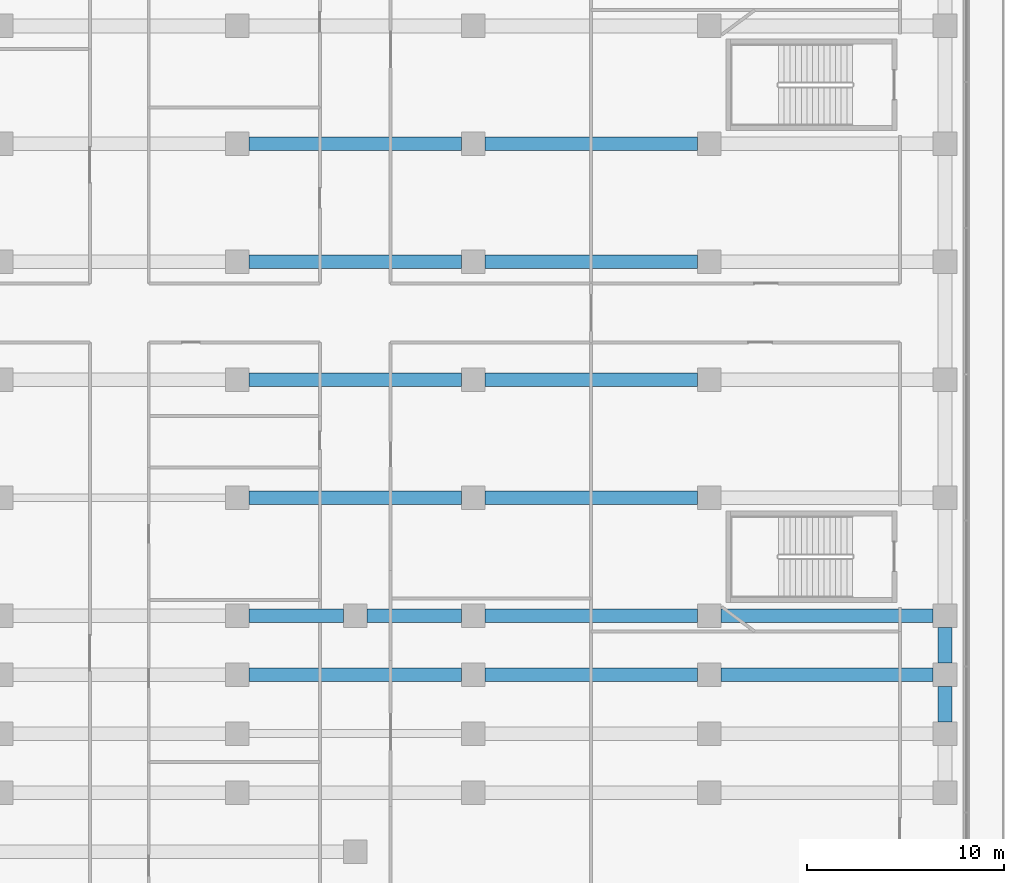
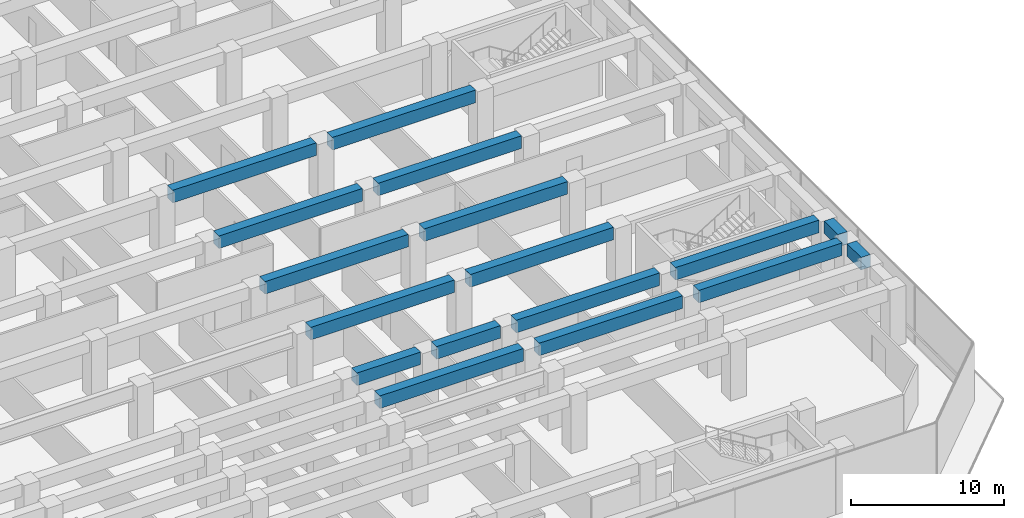
# One storey, part 13 of 40: 17 beams.
"""IFC4 building model written with IfcOpenShell, lengths in metres."""

from ifc_helpers import new_model, si_unit, direction, frame, origin, origin_2d, place, context, subcontext, project, spatial, rectangle, extrude, material, material_profile, profile_set, type_object, element, save


model = new_model("IFC4")

# Units and contexts
model_context = context("Model", 3, precision=1e-05, world=origin(), true_north=direction((0.0, 1.0)))
body_context = subcontext(model_context, "Body", "Model", "MODEL_VIEW")
ifc_project = project(units=[si_unit("LENGTHUNIT", "METRE"), si_unit("AREAUNIT", "SQUARE_METRE"), si_unit("VOLUMEUNIT", "CUBIC_METRE"), si_unit("PLANEANGLEUNIT", "RADIAN"), si_unit("MASSUNIT", "GRAM", prefix="KILO")], contexts=[model_context])

# Site, building, storey
site_placement = place(None, origin())
site = spatial("IfcSite", under=ifc_project, at=site_placement, CompositionType="ELEMENT")
building_placement = place(site_placement, origin())
building = spatial("IfcBuilding", under=site, at=building_placement, Name="Welwitschia Terrace Campus", CompositionType="ELEMENT")
storey_placement = place(building_placement, frame((0.0, 0.0, 6.0)))
storey = spatial("IfcBuildingStorey", under=building, at=storey_placement, Name="L01", CompositionType="ELEMENT", Elevation=6.0)

# Beams
ifc_material = material(Name="Concrete C60/75", Category="concrete")
ifc_material_profile = material_profile(ifc_material, rectangle(XDim=0.699951171875, YDim=1.0, at=origin_2d()))
ifc_profile_set = profile_set([ifc_material_profile], Name="Concrete C60/75")
beam_type = type_object("IfcBeamType", Name="Base block beam 700x1000", PredefinedType="BEAM", material=ifc_profile_set)
for number, where, z_axis, x_axis, name in (
    (1, (60.6005859375, 11.0, 4.10009765625), (1.0, 0.0, 0.0), (0.0, 1.0, 0.0), "Beam BB1"),
    (2, (72.6005859375, 11.0, 4.10009765625), (1.0, 0.0, 0.0), (0.0, 1.0, 0.0), "Beam BB1"),
    (3, (84.6005859375, 11.0, 4.10009765625), (1.0, 0.0, 0.0), (0.0, 1.0, 0.0), "Beam BB1"),
):
    element("IfcBeam", number, at=place(storey_placement, frame(where, z_axis=z_axis, x_axis=x_axis)), inside=storey, type_object=beam_type, Name=name, PredefinedType="BEAM", context=body_context, shape_type="SweptSolid", body=[
        extrude(rectangle(XDim=0.699951171875, YDim=1.0, at=origin_2d()), origin(), (0.0, 0.0, 1.0), 10.798828125),
    ])
for number, where, z_axis, x_axis, name in (
    (4, (60.6005859375, 14.0, 4.10009765625), (1.0, 0.0, 0.0), (0.0, 1.0, 0.0), "Beam BB1"),
    (5, (66.6005859375, 14.0, 4.10009765625), (1.0, 0.0, 0.0), (0.0, 1.0, 0.0), "Beam BB1"),
):
    element("IfcBeam", number, at=place(storey_placement, frame(where, z_axis=z_axis, x_axis=x_axis)), inside=storey, type_object=beam_type, Name=name, PredefinedType="BEAM", context=body_context, shape_type="SweptSolid", body=[
        extrude(rectangle(XDim=0.699951171875, YDim=1.0, at=origin_2d()), origin(), (0.0, 0.0, 1.0), 4.798828125),
    ])
for number, where, z_axis, x_axis, name in (
    (6, (72.6005859375, 14.0, 4.10009765625), (1.0, 0.0, 0.0), (0.0, 1.0, 0.0), "Beam BB1"),
    (7, (84.6005859375, 14.0, 4.10009765625), (1.0, 0.0, 0.0), (0.0, 1.0, 0.0), "Beam BB1"),
    (8, (60.6005859375, 20.0, 4.10009765625), (1.0, 0.0, 0.0), (0.0, 1.0, 0.0), "Beam BB1"),
    (9, (72.6005859375, 20.0, 4.10009765625), (1.0, 0.0, 0.0), (0.0, 1.0, 0.0), "Beam BB1"),
    (10, (60.6005859375, 26.0, 4.10009765625), (1.0, 0.0, 0.0), (0.0, 1.0, 0.0), "Beam BB1"),
    (11, (72.6005859375, 26.0, 4.10009765625), (1.0, 0.0, 0.0), (0.0, 1.0, 0.0), "Beam BB1"),
    (12, (60.6005859375, 32.0, 4.10009765625), (1.0, 0.0, 0.0), (0.0, 1.0, 0.0), "Beam BB1"),
    (13, (72.6005859375, 32.0, 4.10009765625), (1.0, 0.0, 0.0), (0.0, 1.0, 0.0), "Beam BB1"),
    (14, (60.6005859375, 38.0, 4.10009765625), (1.0, 0.0, 0.0), (0.0, 1.0, 0.0), "Beam BB1"),
    (15, (72.6005859375, 38.0, 4.10009765625), (1.0, 0.0, 0.0), (0.0, 1.0, 0.0), "Beam BB1"),
):
    element("IfcBeam", number, at=place(storey_placement, frame(where, z_axis=z_axis, x_axis=x_axis)), inside=storey, type_object=beam_type, Name=name, PredefinedType="BEAM", context=body_context, shape_type="SweptSolid", body=[
        extrude(rectangle(XDim=0.699951171875, YDim=1.0, at=origin_2d()), origin(), (0.0, 0.0, 1.0), 10.798828125),
    ])
for number, where, z_axis, x_axis, name in (
    (16, (96.0, 8.6005859375, 4.10009765625), (0.0, 1.0, 0.0), (-1.0, 0.0, 0.0), "Beam BB1"),
    (17, (96.0, 11.6005859375, 4.10009765625), (0.0, 1.0, 0.0), (-1.0, 0.0, 0.0), "Beam BB1"),
):
    element("IfcBeam", number, at=place(storey_placement, frame(where, z_axis=z_axis, x_axis=x_axis)), inside=storey, type_object=beam_type, Name=name, PredefinedType="BEAM", context=body_context, shape_type="SweptSolid", body=[
        extrude(rectangle(XDim=0.699951171875, YDim=1.0, at=origin_2d()), origin(), (0.0, 0.0, 1.0), 1.798828125),
    ])

save(model, "model.ifc")
